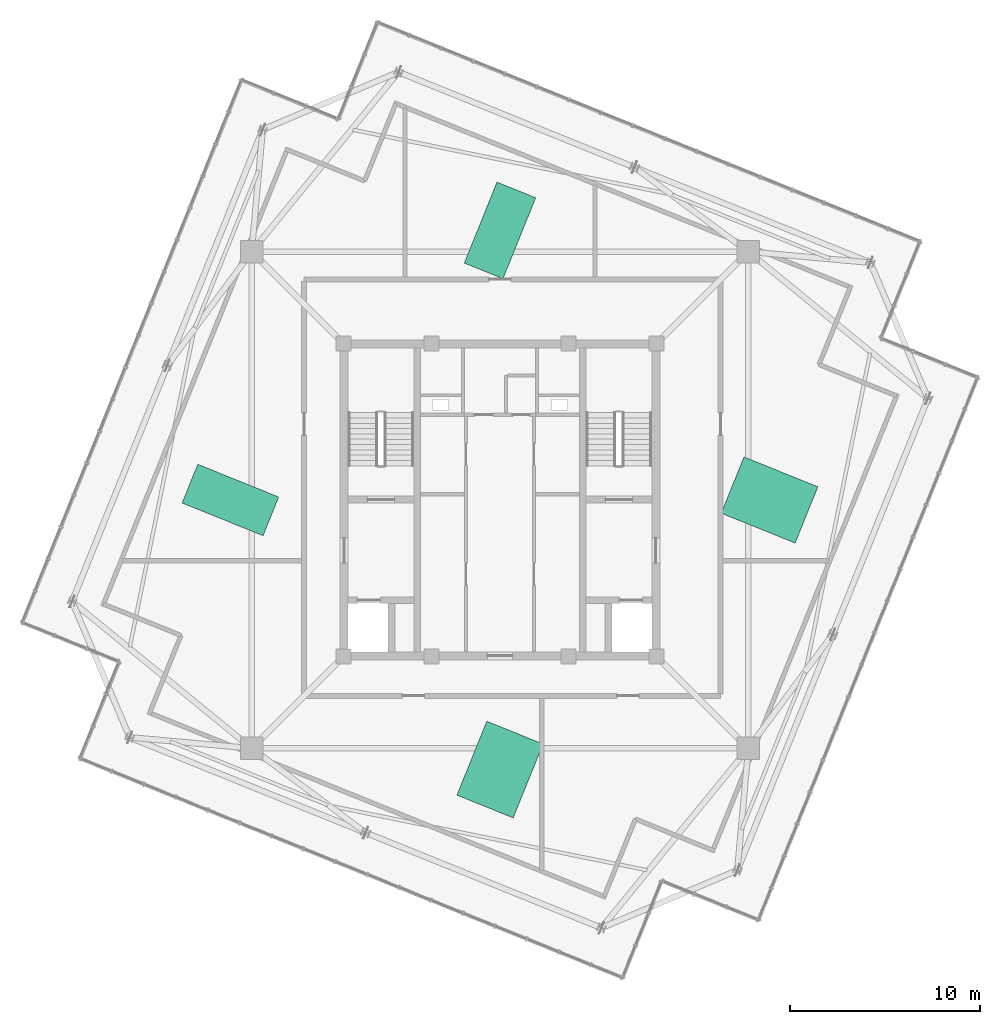
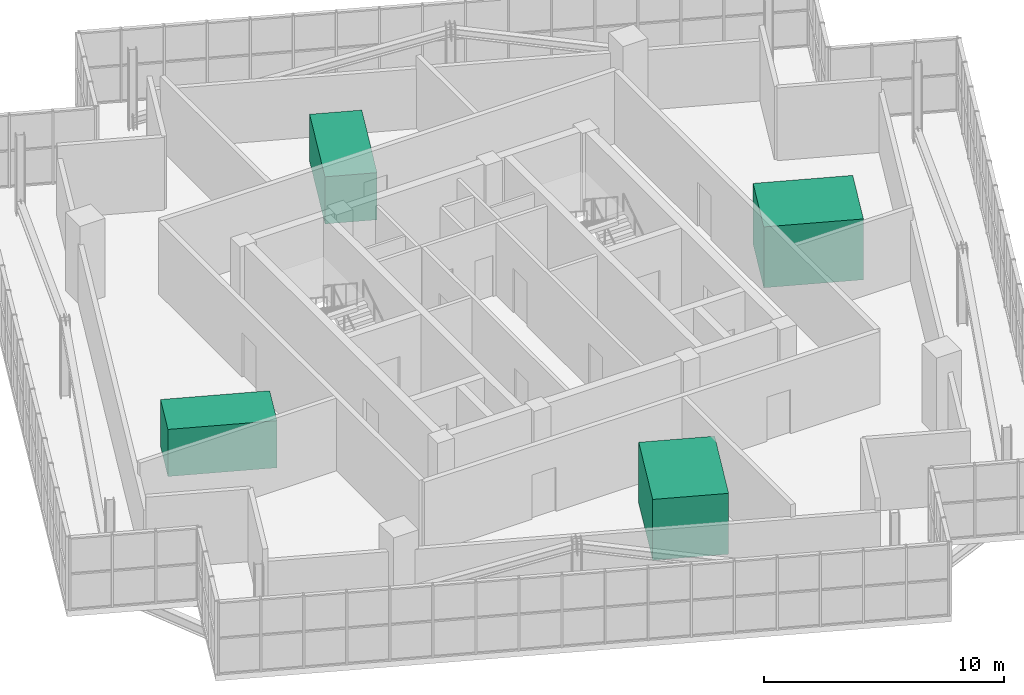
# One storey, part 26 of 26: 4 unitary equipment elements.
"""IFC4 building model written with IfcOpenShell, lengths in metres."""

from ifc_helpers import new_model, si_unit, direction, frame, origin, origin_2d, place, context, subcontext, project, spatial, rectangle, extrude, source, transform, mapped, material, type_object, element, save


model = new_model("IFC4")

# Units and contexts
model_context = context("Model", 3, precision=1e-05, world=origin(), true_north=direction((0.0, 1.0)))
body_context = subcontext(model_context, "Body", "Model", "MODEL_VIEW")
ifc_project = project(units=[si_unit("LENGTHUNIT", "METRE"), si_unit("AREAUNIT", "SQUARE_METRE"), si_unit("VOLUMEUNIT", "CUBIC_METRE"), si_unit("PLANEANGLEUNIT", "RADIAN"), si_unit("MASSUNIT", "GRAM", prefix="KILO"), si_unit("THERMODYNAMICTEMPERATUREUNIT", "KELVIN")], contexts=[model_context])

# Site, building, storey
site_placement = place(None, origin())
site = spatial("IfcSite", under=ifc_project, at=site_placement, CompositionType="ELEMENT")
building_placement = place(site_placement, origin())
building = spatial("IfcBuilding", under=site, at=building_placement, Name="Kosmvard Interchange Tower", CompositionType="ELEMENT")
storey_placement = place(building_placement, frame((0.0, 0.0, 329.60009765625)))
storey = spatial("IfcBuildingStorey", under=building, at=storey_placement, Name="L81", CompositionType="ELEMENT", Elevation=329.60009765625)

# Unitary equipment
ifc_material = material(Name="Steel S355", Category="steel")
unitary_equipment_type_1 = type_object("IfcUnitaryEquipmentType", Name="Modular Induced-Draft Cooling Tower Unit", PredefinedType="USERDEFINED", material=ifc_material)
shared_shape_1 = source(origin(), body_context, "Body", "SweptSolid", [
    extrude(rectangle(XDim=4.199951171875, YDim=3.199951171875, at=origin_2d()), origin(), (0.0, 0.0, 1.0), 3.10009765625),
])
unitary_equipment_1_placement = place(storey_placement, frame((0.0, -14.199951171875, -0.000244140625), z_axis=(0.0, 0.0, 1.0), x_axis=(0.374606593416, 0.927183854567, 0.0)))
element("IfcUnitaryEquipment", 1, at=unitary_equipment_1_placement, inside=storey, type_object=unitary_equipment_type_1, Name="L81 Crown Mechanical Plant Unit CT1", ObjectType="COOLING_TOWER", PredefinedType="USERDEFINED", context=body_context, shape_type="MappedRepresentation", body=[
    mapped(shared_shape_1, transform((0.0, 0.0, 0.0), scale=1.0)),
])
shared_shape_2 = source(origin(), body_context, "Body", "SweptSolid", [
    extrude(rectangle(XDim=3.199951171875, YDim=4.199951171875, at=origin_2d()), origin(), (0.0, 0.0, 1.0), 3.10009765625),
])
unitary_equipment_2_placement = place(storey_placement, frame((14.199951171875, 0.0, -0.000244140625), z_axis=(0.0, 0.0, 1.0), x_axis=(0.374606593416, 0.927183854567, 0.0)))
element("IfcUnitaryEquipment", 2, at=unitary_equipment_2_placement, inside=storey, type_object=unitary_equipment_type_1, Name="L81 Crown Mechanical Plant Unit CT2", ObjectType="COOLING_TOWER", PredefinedType="USERDEFINED", context=body_context, shape_type="MappedRepresentation", body=[
    mapped(shared_shape_2, transform((0.0, 0.0, 0.0), scale=1.0)),
])
unitary_equipment_type_2 = type_object("IfcUnitaryEquipmentType", Name="Centrifugal Water-Cooled Chiller & Heat Recovery Unit", PredefinedType="USERDEFINED", material=ifc_material)
shared_shape_3 = source(origin(), body_context, "Body", "SweptSolid", [
    extrude(rectangle(XDim=4.60009765625, YDim=2.199951171875, at=origin_2d()), origin(), (0.0, 0.0, 1.0), 2.39990234375),
])
unitary_equipment_3_placement = place(storey_placement, frame((0.0, 14.199951171875, 0.0), z_axis=(0.0, 0.0, 1.0), x_axis=(0.374606593416, 0.927183854567, 0.0)))
element("IfcUnitaryEquipment", 3, at=unitary_equipment_3_placement, inside=storey, type_object=unitary_equipment_type_2, Name="L81 Crown Mechanical Plant Unit CH1", ObjectType="CHILLER", PredefinedType="USERDEFINED", context=body_context, shape_type="MappedRepresentation", body=[
    mapped(shared_shape_3, transform((0.0, 0.0, 0.0), scale=1.0)),
])
shared_shape_4 = source(origin(), body_context, "Body", "SweptSolid", [
    extrude(rectangle(XDim=2.199951171875, YDim=4.60009765625, at=origin_2d()), origin(), (0.0, 0.0, 1.0), 2.39990234375),
])
unitary_equipment_4_placement = place(storey_placement, frame((-14.199951171875, 0.0, 0.0), z_axis=(0.0, 0.0, 1.0), x_axis=(0.374606593416, 0.927183854567, 0.0)))
element("IfcUnitaryEquipment", 4, at=unitary_equipment_4_placement, inside=storey, type_object=unitary_equipment_type_2, Name="L81 Crown Mechanical Plant Unit CH2", ObjectType="CHILLER", PredefinedType="USERDEFINED", context=body_context, shape_type="MappedRepresentation", body=[
    mapped(shared_shape_4, transform((0.0, 0.0, 0.0), scale=1.0)),
])

save(model, "model.ifc")
